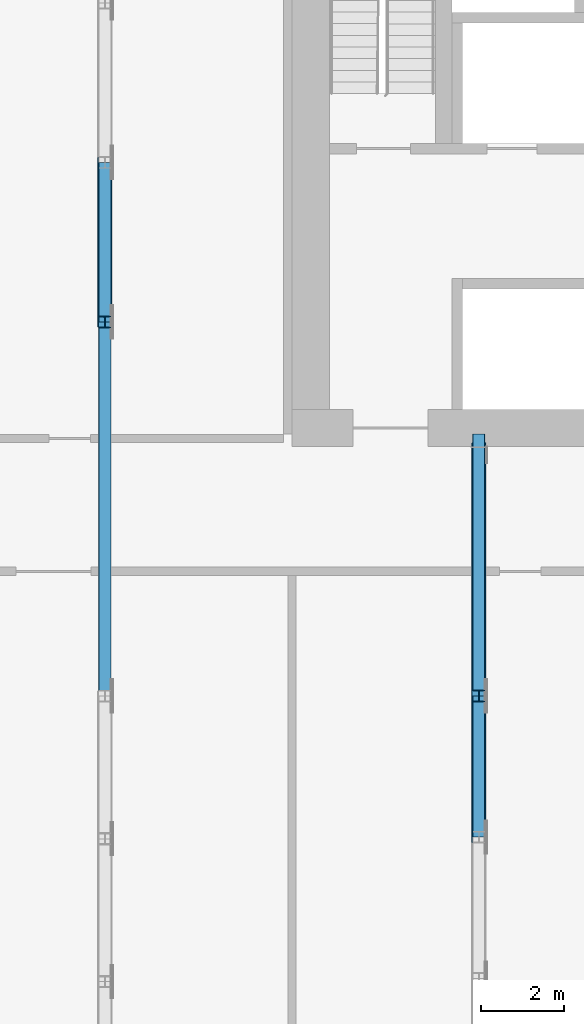
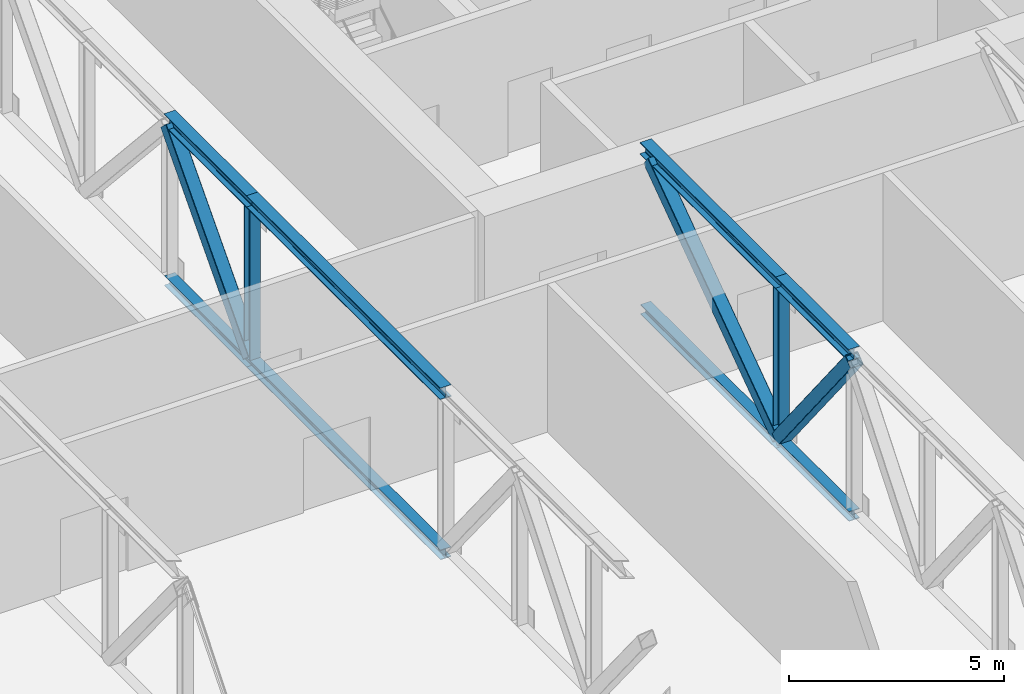
# One storey, part 3 of 26: 13 members.
"""IFC4 building model written with IfcOpenShell, lengths in metres."""

import ifcopenshell
import ifcopenshell.guid

model = None  # the IFC model being written
_history = None  # IfcOwnerHistory: only IFC2X3 demands one
_inside = {}  # id of a spatial element -> (the spatial element, [elements in it])
_under = {}  # id of a project, library or spatial element -> (it, [spatial elements below it])
_declared = {}  # id of a project -> (the project, [libraries it declares])
_typed = {}  # id of a type object -> (the type object, [elements of that type])
_made_of = {}  # id of a material, layer set ... -> (it, [elements and type objects made of it])


def new_model(schema):
    """Start an empty IFC model of exactly this schema.

    Asked for "IFC4X3", IfcOpenShell would pick the latest addendum, in which some entities
    have other attributes; the version numbers below select the first issue.
    IFC2X3 requires an IfcOwnerHistory on every rooted entity: one is made here for all.
    """
    global model, _history
    if schema == "IFC4X3":
        model = ifcopenshell.file(schema_version=(4, 3, 0, 0))
    else:
        model = ifcopenshell.file(schema=schema)
    _inside.clear()
    _under.clear()
    _declared.clear()
    _typed.clear()
    _made_of.clear()
    _history = None
    if model.schema == "IFC2X3":
        org = make("IfcOrganization", Name="unknown")
        user = make(
            "IfcPersonAndOrganization",
            ThePerson=make("IfcPerson", FamilyName="unknown"),
            TheOrganization=org,
        )
        app = make(
            "IfcApplication",
            ApplicationDeveloper=org,
            Version="unknown",
            ApplicationFullName="unknown",
            ApplicationIdentifier="unknown",
        )
        _history = make(
            "IfcOwnerHistory",
            OwningUser=user,
            OwningApplication=app,
            ChangeAction="ADDED",
            CreationDate=0,
        )
    return model


def make(cls, **values):
    """One entity of the class cls with the attributes given. An attribute that is None is left unset."""
    return model.create_entity(
        cls, **{name: value for name, value in values.items() if value is not None}
    )


def rooted(cls, **values):
    """An entity with a GlobalId (a new one), such as an element, a storey or a relation."""
    return make(cls, GlobalId=ifcopenshell.guid.new(), OwnerHistory=_history, **values)


def si_unit(unit_type, name, prefix=None):
    """IfcSIUnit, for example si_unit("LENGTHUNIT", "METRE", prefix="MILLI")."""
    return make("IfcSIUnit", UnitType=unit_type, Prefix=prefix, Name=name)


def assignment(units):
    """IfcUnitAssignment: the units of a project."""
    return None if units is None else make("IfcUnitAssignment", Units=units)


def point(xyz):
    """IfcCartesianPoint."""
    return None if xyz is None else make("IfcCartesianPoint", Coordinates=xyz)


def direction(xyz):
    """IfcDirection."""
    return None if xyz is None else make("IfcDirection", DirectionRatios=xyz)


def frame(location, z_axis=None, x_axis=None):
    """IfcAxis2Placement3D, a coordinate frame: its origin and axes. An axis left out is left unset."""
    return make(
        "IfcAxis2Placement3D",
        Location=point(location),
        Axis=direction(z_axis),
        RefDirection=direction(x_axis),
    )


def frame_2d(location, x_axis=None):
    """IfcAxis2Placement2D, a coordinate frame in the plane: its origin and x axis."""
    return make(
        "IfcAxis2Placement2D", Location=point(location), RefDirection=direction(x_axis)
    )


def origin():
    """The frame at (0, 0, 0) with its axes left unset."""
    return frame((0.0, 0.0, 0.0))


def origin_2d():
    """The frame at (0, 0) in the plane with its x axis left unset."""
    return frame_2d((0.0, 0.0))


def place(relative_to, where):
    """IfcLocalPlacement: puts the frame where relative to a parent placement (None: the world)."""
    return make(
        "IfcLocalPlacement", PlacementRelTo=relative_to, RelativePlacement=where
    )


def context(
    kind, dimensions, precision=None, world=None, true_north=None, identifier=None
):
    """IfcGeometricRepresentationContext, for example the 3D "Model" context."""
    return make(
        "IfcGeometricRepresentationContext",
        ContextIdentifier=identifier,
        ContextType=kind,
        CoordinateSpaceDimension=dimensions,
        Precision=precision,
        WorldCoordinateSystem=world,
        TrueNorth=true_north,
    )


def subcontext(parent, identifier, kind, view, scale=None):
    """IfcGeometricRepresentationSubContext, for example "Body" below "Model"."""
    return make(
        "IfcGeometricRepresentationSubContext",
        ContextIdentifier=identifier,
        ContextType=kind,
        ParentContext=parent,
        TargetScale=scale,
        TargetView=view,
    )


def project(units=None, contexts=None):
    """IfcProject with its units and contexts."""
    return rooted(
        "IfcProject",
        Name="project",
        RepresentationContexts=contexts,
        UnitsInContext=assignment(units),
    )


def spatial(cls, under=None, at=None, **own):
    """A site, building, storey or space (cls), placed at a placement, below another one or the project."""
    s = rooted(cls, ObjectPlacement=at, **own)
    if under is not None:
        _under.setdefault(under.id(), (under, []))[1].append(s)
    return s


def profile(cls, at=None, kind="AREA", **sizes):
    """A parametric profile (cls). Its sizes go by their IFC names, for example OverallWidth=200.0."""
    return make(cls, ProfileType=kind, Position=at, **sizes)


def hollow_rectangle(**sizes):
    """IfcRectangleHollowProfileDef."""
    return profile("IfcRectangleHollowProfileDef", **sizes)


def i_section(**sizes):
    """IfcIShapeProfileDef."""
    return profile("IfcIShapeProfileDef", **sizes)


def extrude(swept, where, along, depth):
    """IfcExtrudedAreaSolid: the profile swept, set in the frame where, extruded along a direction by depth."""
    return make(
        "IfcExtrudedAreaSolid",
        SweptArea=swept,
        Position=where,
        ExtrudedDirection=direction(along),
        Depth=depth,
    )


def shape(context_of_items, identifier, shape_type, items):
    """IfcShapeRepresentation: the items that make up one representation, for example the "Body"."""
    return make(
        "IfcShapeRepresentation",
        ContextOfItems=context_of_items,
        RepresentationIdentifier=identifier,
        RepresentationType=shape_type,
        Items=items,
    )


def material(Name=None, Category=None):
    """IfcMaterial."""
    return make("IfcMaterial", Name=Name, Category=Category)


def material_profile(
    of_material, cross_section, Name=None, Category=None, Priority=None
):
    """IfcMaterialProfile: a cross section and its material."""
    return make(
        "IfcMaterialProfile",
        Name=Name,
        Material=of_material,
        Profile=cross_section,
        Priority=Priority,
        Category=Category,
    )


def profile_set(profiles, Name=None, composite=None):
    """IfcMaterialProfileSet."""
    return make(
        "IfcMaterialProfileSet",
        Name=Name,
        MaterialProfiles=profiles,
        CompositeProfile=composite,
    )


def made_of(thing, what):
    """Note that an element or type object is made of a material, layer set ...; save() writes the relation."""
    if what is not None:
        _made_of.setdefault(what.id(), (what, []))[1].append(thing)
    return thing


def type_object(cls, material=None, **own):
    """A type object (cls), such as IfcWallType, which elements share."""
    return made_of(rooted(cls, **own), material)


def element(
    cls,
    number,
    at=None,
    inside=None,
    cuts=None,
    type_object=None,
    material=None,
    context=None,
    identifier="Body",
    shape_type=None,
    held_by="IfcProductDefinitionShape",
    body=None,
    shapes=None,
    **own,
):
    """One element of the class cls, such as IfcWall. Its Tag is "e" and its number.

    at: its placement. inside: the storey or other place that contains it. cuts: it is an
    opening in that element (IfcRelVoidsElement). A single representation is given by context,
    identifier, shape_type and body (its items); several are given by shapes. held_by: the class
    of the entity that holds the representations. save() writes the other relations.
    """
    e = rooted(cls, Tag="e%d" % number, ObjectPlacement=at, **own)
    if body is not None:
        shapes = [shape(context, identifier, shape_type, body)]
    if shapes is not None:
        e.Representation = make(held_by, Representations=shapes)
    if inside is not None:
        _inside.setdefault(inside.id(), (inside, []))[1].append(e)
    if cuts is not None:
        rooted(
            "IfcRelVoidsElement", RelatingBuildingElement=cuts, RelatedOpeningElement=e
        )
    if type_object is not None:
        _typed.setdefault(type_object.id(), (type_object, []))[1].append(e)
    return made_of(e, material)


def aggregate(whole, parts):
    """IfcRelAggregates: a whole, such as a stair, and the parts it consists of."""
    return rooted("IfcRelAggregates", RelatingObject=whole, RelatedObjects=parts)


def save(model, path):
    """Write the relations noted so far, then the file.

    IfcRelAggregates (storeys below a building ...), IfcRelContainedInSpatialStructure (elements
    in a storey), IfcRelDefinesByType, IfcRelAssociatesMaterial and IfcRelDeclares: one each for
    every whole, place, type object, material and project.
    """
    for whole, parts in _under.values():
        aggregate(whole, parts)
    for where, things in _inside.values():
        rooted(
            "IfcRelContainedInSpatialStructure",
            RelatedElements=things,
            RelatingStructure=where,
        )
    for kind, things in _typed.values():
        rooted("IfcRelDefinesByType", RelatedObjects=things, RelatingType=kind)
    for what, things in _made_of.values():
        rooted("IfcRelAssociatesMaterial", RelatedObjects=things, RelatingMaterial=what)
    for by, libraries in _declared.values():
        rooted("IfcRelDeclares", RelatingContext=by, RelatedDefinitions=libraries)
    model.write(path)


model = new_model("IFC4")

# Units and contexts
model_context = context("Model", 3, precision=1e-05, world=origin(), true_north=direction((0.0, 1.0)))
body_context = subcontext(model_context, "Body", "Model", "MODEL_VIEW")
ifc_project = project(units=[si_unit("LENGTHUNIT", "METRE"), si_unit("AREAUNIT", "SQUARE_METRE"), si_unit("VOLUMEUNIT", "CUBIC_METRE"), si_unit("PLANEANGLEUNIT", "RADIAN"), si_unit("MASSUNIT", "GRAM", prefix="KILO")], contexts=[model_context])

# Site, building, storey
site_placement = place(None, origin())
site = spatial("IfcSite", under=ifc_project, at=site_placement, CompositionType="ELEMENT")
building_placement = place(site_placement, origin())
building = spatial("IfcBuilding", under=site, at=building_placement, Name="Kajstack Hotel Tower", CompositionType="ELEMENT")
storey_placement = place(building_placement, frame((0.0, 0.0, 206.5)))
storey = spatial("IfcBuildingStorey", under=building, at=storey_placement, Name="L50", CompositionType="ELEMENT", Elevation=206.5)

# Members
ifc_material = material(Name="Steel S355J2", Category="steel")
ifc_material_profile_1 = material_profile(ifc_material, i_section(OverallWidth=0.280029296875, OverallDepth=0.280029296875, WebThickness=0.010498046875, FlangeThickness=0.01806640625, FilletRadius=0.02392578125, at=origin_2d()), Name="HEB 280")
ifc_profile_set_1 = profile_set([ifc_material_profile_1], Name="Steel S355J2")
member_type_1 = type_object("IfcMemberType", Name="Belt truss bottom chord BC4 HEB 280", PredefinedType="CHORD", material=ifc_profile_set_1)
member_1_placement = place(storey_placement, frame((9.0, -4.5, -0.139892578125), z_axis=(0.0, 1.0, 0.0), x_axis=(-1.0, 0.0, 0.0)))
element("IfcMember", 1, at=member_1_placement, inside=storey, type_object=member_type_1, Name="S-belt-truss-L50-+9p0-1-bc17", PredefinedType="CHORD", context=body_context, shape_type="SweptSolid", body=[
    extrude(i_section(OverallWidth=0.280029296875, OverallDepth=0.280029296875, WebThickness=0.010498046875, FlangeThickness=0.01806640625, FilletRadius=0.02392578125, at=origin_2d()), origin(), (0.0, 0.0, 1.0), 9.0),
])
member_2_placement = place(storey_placement, frame((9.0, 4.5, -0.139892578125), z_axis=(0.0, 1.0, 0.0), x_axis=(-1.0, 0.0, 0.0)))
element("IfcMember", 2, at=member_2_placement, inside=storey, type_object=member_type_1, Name="S-belt-truss-L50-+9p0-1-bc18", PredefinedType="CHORD", context=body_context, shape_type="SweptSolid", body=[
    extrude(i_section(OverallWidth=0.280029296875, OverallDepth=0.280029296875, WebThickness=0.010498046875, FlangeThickness=0.01806640625, FilletRadius=0.02392578125, at=origin_2d()), origin(), (0.0, 0.0, 1.0), 3.83935546875),
])
member_3_placement = place(storey_placement, frame((18.0, -7.897705078125, -0.139892578125), z_axis=(0.0, 1.0, 0.0), x_axis=(-1.0, 0.0, 0.0)))
element("IfcMember", 3, at=member_3_placement, inside=storey, type_object=member_type_1, Name="S-outrigger-truss-L50-+18p0-1-bc11", PredefinedType="CHORD", context=body_context, shape_type="SweptSolid", body=[
    extrude(i_section(OverallWidth=0.280029296875, OverallDepth=0.280029296875, WebThickness=0.010498046875, FlangeThickness=0.01806640625, FilletRadius=0.02392578125, at=origin_2d()), origin(), (0.0, 0.0, 1.0), 3.397705078125),
])
member_4_placement = place(storey_placement, frame((18.0, -4.5, -0.139892578125), z_axis=(0.0, 1.0, 0.0), x_axis=(-1.0, 0.0, 0.0)))
element("IfcMember", 4, at=member_4_placement, inside=storey, type_object=member_type_1, Name="S-outrigger-truss-L50-+18p0-1-bc12", PredefinedType="CHORD", context=body_context, shape_type="SweptSolid", body=[
    extrude(i_section(OverallWidth=0.280029296875, OverallDepth=0.280029296875, WebThickness=0.010498046875, FlangeThickness=0.01806640625, FilletRadius=0.02392578125, at=origin_2d()), origin(), (0.0, 0.0, 1.0), 6.300048828125),
])
ifc_material_profile_2 = material_profile(ifc_material, hollow_rectangle(XDim=0.35009765625, YDim=0.35009765625, WallThickness=0.01611328125, InnerFilletRadius=0.01611328125, OuterFilletRadius=0.02392578125, at=origin_2d()), Name="SHS 350x350x16")
ifc_profile_set_2 = profile_set([ifc_material_profile_2], Name="Steel S355J2")
member_type_2 = type_object("IfcMemberType", Name="Belt truss diagonal DG4 SHS 350x350x16", PredefinedType="BRACE", material=ifc_profile_set_2)
member_5_placement = place(storey_placement, frame((9.0, 4.5, 0.0), z_axis=(0.0, 0.66947966282, 0.742830385129), x_axis=(-1.0, 0.0, 0.0)))
element("IfcMember", 5, at=member_5_placement, inside=storey, type_object=member_type_2, Name="S-belt-truss-L50-+9p0-1-dg39", PredefinedType="BRACE", context=body_context, shape_type="SweptSolid", body=[
    extrude(hollow_rectangle(XDim=0.35009765625, YDim=0.35009765625, WallThickness=0.01611328125, InnerFilletRadius=0.01611328125, OuterFilletRadius=0.02392578125, at=origin_2d()), origin(), (0.0, 0.0, 1.0), 5.73486328125),
])
member_6_placement = place(storey_placement, frame((18.0, -4.5, 0.0), z_axis=(0.0, -0.623541475499, 0.781790271321), x_axis=(1.0, 0.0, 0.0)))
element("IfcMember", 6, at=member_6_placement, inside=storey, type_object=member_type_2, Name="S-outrigger-truss-L50-+18p0-1-dg22", PredefinedType="BRACE", context=body_context, shape_type="SweptSolid", body=[
    extrude(hollow_rectangle(XDim=0.35009765625, YDim=0.35009765625, WallThickness=0.01611328125, InnerFilletRadius=0.01611328125, OuterFilletRadius=0.02392578125, at=origin_2d()), origin(), (0.0, 0.0, 1.0), 5.448974609375),
])
member_7_placement = place(storey_placement, frame((18.0, -4.5, 0.0), z_axis=(0.0, 0.815382358162, 0.578922801415), x_axis=(-1.0, 0.0, 0.0)))
element("IfcMember", 7, at=member_7_placement, inside=storey, type_object=member_type_2, Name="S-outrigger-truss-L50-+18p0-1-dg23", PredefinedType="BRACE", context=body_context, shape_type="SweptSolid", body=[
    extrude(hollow_rectangle(XDim=0.35009765625, YDim=0.35009765625, WallThickness=0.01611328125, InnerFilletRadius=0.01611328125, OuterFilletRadius=0.02392578125, at=origin_2d()), origin(), (0.0, 0.0, 1.0), 7.3583984375),
])
ifc_material_profile_3 = material_profile(ifc_material, i_section(OverallWidth=0.280029296875, OverallDepth=0.280029296875, WebThickness=0.010498046875, FlangeThickness=0.01806640625, FilletRadius=0.02392578125, at=origin_2d()), Name="HEB 280")
ifc_profile_set_3 = profile_set([ifc_material_profile_3], Name="Steel S355J2")
member_type_3 = type_object("IfcMemberType", Name="Belt truss post PO4 HEB 280", PredefinedType="POST", material=ifc_profile_set_3)
for number, where, z_axis, x_axis, name in (
    (8, (9.0, 4.5, 0.0), (0.0, 0.0, 1.0), (1.0, 0.0, 0.0), "S-belt-truss-L50-+9p0-1-po29"),
    (9, (18.0, -4.5, 0.0), (0.0, 0.0, 1.0), (1.0, 0.0, 0.0), "S-outrigger-truss-L50-+18p0-1-po18"),
):
    element("IfcMember", number, at=place(storey_placement, frame(where, z_axis=z_axis, x_axis=x_axis)), inside=storey, type_object=member_type_3, Name=name, PredefinedType="POST", context=body_context, shape_type="SweptSolid", body=[
        extrude(i_section(OverallWidth=0.280029296875, OverallDepth=0.280029296875, WebThickness=0.010498046875, FlangeThickness=0.01806640625, FilletRadius=0.02392578125, at=origin_2d()), origin(), (0.0, 0.0, 1.0), 4.260009765625),
    ])
ifc_material_profile_4 = material_profile(ifc_material, i_section(OverallWidth=0.300048828125, OverallDepth=0.340087890625, WebThickness=0.011962890625, FlangeThickness=0.021484375, FilletRadius=0.027099609375, at=origin_2d()), Name="HEB 340")
ifc_profile_set_4 = profile_set([ifc_material_profile_4], Name="Steel S355J2")
member_type_4 = type_object("IfcMemberType", Name="Belt truss top chord TC4 HEB 340", PredefinedType="CHORD", material=ifc_profile_set_4)
member_8_placement = place(storey_placement, frame((9.0, -4.5, 4.429931640625), z_axis=(0.0, 1.0, 0.0), x_axis=(-1.0, 0.0, 0.0)))
element("IfcMember", 10, at=member_8_placement, inside=storey, type_object=member_type_4, Name="S-belt-truss-L50-+9p0-1-tc6", PredefinedType="CHORD", context=body_context, shape_type="SweptSolid", body=[
    extrude(i_section(OverallWidth=0.300048828125, OverallDepth=0.340087890625, WebThickness=0.011962890625, FlangeThickness=0.021484375, FilletRadius=0.027099609375, at=origin_2d()), origin(), (0.0, 0.0, 1.0), 9.0),
])
member_9_placement = place(storey_placement, frame((9.0, 4.5, 4.429931640625), z_axis=(0.0, 1.0, 0.0), x_axis=(-1.0, 0.0, 0.0)))
element("IfcMember", 11, at=member_9_placement, inside=storey, type_object=member_type_4, Name="S-belt-truss-L50-+9p0-1-tc7", PredefinedType="CHORD", context=body_context, shape_type="SweptSolid", body=[
    extrude(i_section(OverallWidth=0.300048828125, OverallDepth=0.340087890625, WebThickness=0.011962890625, FlangeThickness=0.021484375, FilletRadius=0.027099609375, at=origin_2d()), origin(), (0.0, 0.0, 1.0), 3.83935546875),
])
member_10_placement = place(storey_placement, frame((18.0, -7.897705078125, 4.429931640625), z_axis=(0.0, 1.0, 0.0), x_axis=(-1.0, 0.0, 0.0)))
element("IfcMember", 12, at=member_10_placement, inside=storey, type_object=member_type_4, Name="S-outrigger-truss-L50-+18p0-1-tc5", PredefinedType="CHORD", context=body_context, shape_type="SweptSolid", body=[
    extrude(i_section(OverallWidth=0.300048828125, OverallDepth=0.340087890625, WebThickness=0.011962890625, FlangeThickness=0.021484375, FilletRadius=0.027099609375, at=origin_2d()), origin(), (0.0, 0.0, 1.0), 3.397705078125),
])
member_11_placement = place(storey_placement, frame((18.0, -4.5, 4.429931640625), z_axis=(0.0, 1.0, 0.0), x_axis=(-1.0, 0.0, 0.0)))
element("IfcMember", 13, at=member_11_placement, inside=storey, type_object=member_type_4, Name="S-outrigger-truss-L50-+18p0-1-tc6", PredefinedType="CHORD", context=body_context, shape_type="SweptSolid", body=[
    extrude(i_section(OverallWidth=0.300048828125, OverallDepth=0.340087890625, WebThickness=0.011962890625, FlangeThickness=0.021484375, FilletRadius=0.027099609375, at=origin_2d()), origin(), (0.0, 0.0, 1.0), 6.300048828125),
])

save(model, "model.ifc")
